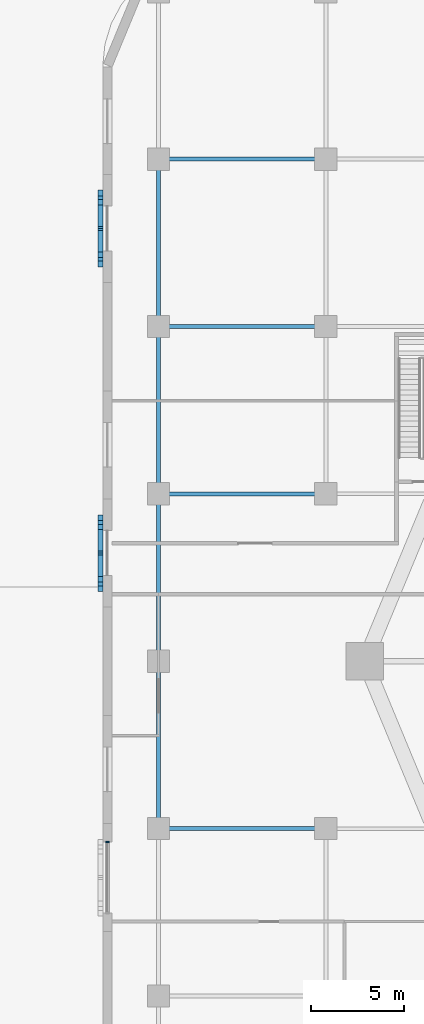
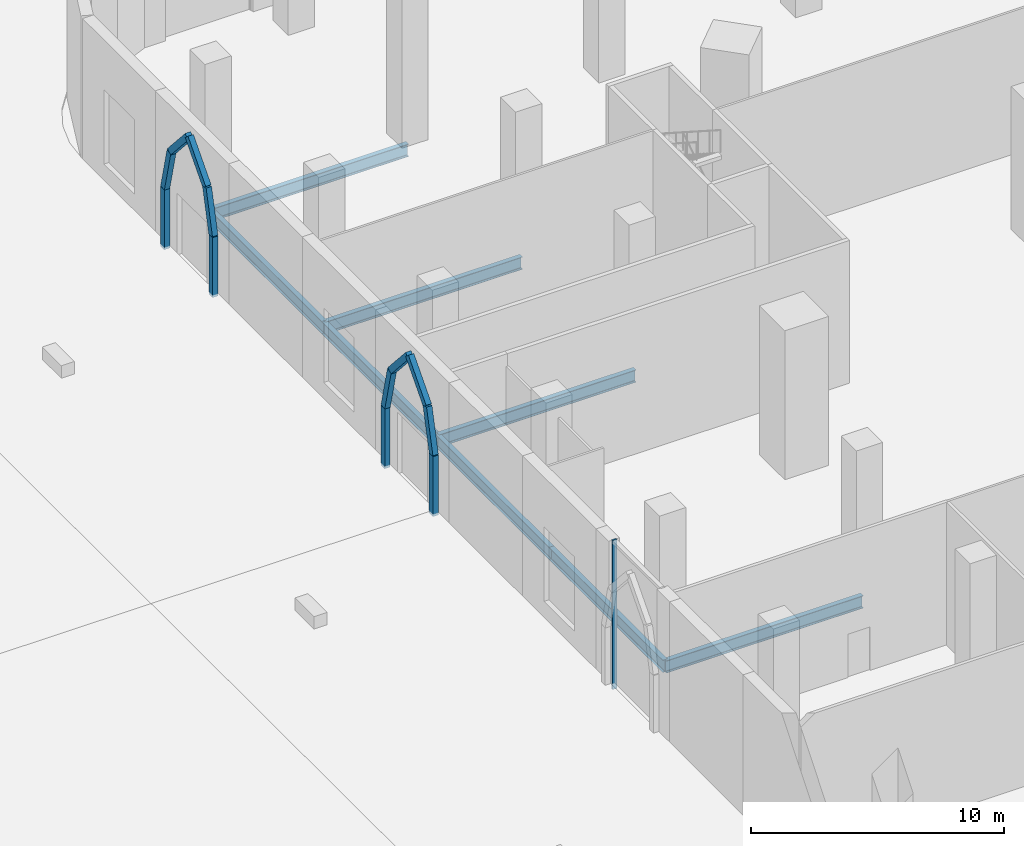
# One storey, part 6 of 48: 13 members, 8 beams, 1 element without a shape of its own.
"""IFC4 building model written with IfcOpenShell, lengths in metres."""

from ifc_helpers import new_model, si_unit, direction, frame, origin, origin_2d, place, context, subcontext, project, spatial, rectangle, i_section, extrude, material, material_profile, profile_set, type_object, element, aggregate, save


model = new_model("IFC4")

# Units and contexts
model_context = context("Model", 3, precision=1e-05, world=origin(), true_north=direction((0.0, 1.0)))
body_context = subcontext(model_context, "Body", "Model", "MODEL_VIEW")
ifc_project = project(units=[si_unit("LENGTHUNIT", "METRE"), si_unit("AREAUNIT", "SQUARE_METRE"), si_unit("VOLUMEUNIT", "CUBIC_METRE"), si_unit("PLANEANGLEUNIT", "RADIAN"), si_unit("MASSUNIT", "GRAM", prefix="KILO")], contexts=[model_context])

# Site, building, storey
site_placement = place(None, origin())
site = spatial("IfcSite", under=ifc_project, at=site_placement, CompositionType="ELEMENT")
building_placement = place(site_placement, origin())
building = spatial("IfcBuilding", under=site, at=building_placement, Name="Ogive Gate Towers", CompositionType="ELEMENT")
storey_placement = place(building_placement, origin())
storey = spatial("IfcBuildingStorey", under=building, at=storey_placement, Name="L00", CompositionType="ELEMENT", Elevation=0.0)

# Members
ifc_material_1 = material(Name="Precast concrete C40/50", Category="concrete")
ifc_material_profile_1 = material_profile(ifc_material_1, rectangle(XDim=0.25, YDim=0.300048828125, at=origin_2d()), Name="250 x 300 cast stone")
ifc_profile_set_1 = profile_set([ifc_material_profile_1], Name="Precast concrete C40/50")
member_type_1 = type_object("IfcMemberType", Name="Arch rib 250 x 300", PredefinedType="USERDEFINED", material=ifc_profile_set_1)
member_1_placement = place(storey_placement, frame((-75.125, 25.181884765625, 0.0), z_axis=(0.0, 0.0, 1.0), x_axis=(1.0, 0.0, 0.0)))
element("IfcMember", 1, at=member_1_placement, inside=storey, type_object=member_type_1, Name="Arcade arch rib", ObjectType="ARCH RIB", PredefinedType="USERDEFINED", context=body_context, shape_type="SweptSolid", body=[
    extrude(rectangle(XDim=0.25, YDim=0.300048828125, at=origin_2d()), origin(), (0.0, 0.0, 1.0), 2.89990234375),
])
member_2_placement = place(storey_placement, frame((-75.125, 25.181884765625, 2.89990234375), z_axis=(0.0, -0.239949903383, 0.97078527176), x_axis=(1.0, 0.0, 0.0)))
element("IfcMember", 2, at=member_2_placement, inside=storey, type_object=member_type_1, Name="Arcade arch rib", ObjectType="ARCH RIB", PredefinedType="USERDEFINED", context=body_context, shape_type="SweptSolid", body=[
    extrude(rectangle(XDim=0.25, YDim=0.300048828125, at=origin_2d()), origin(), (0.0, 0.0, 1.0), 2.111328125),
])
member_3_placement = place(storey_placement, frame((-75.125, 24.67529296875, 4.949462890625), z_axis=(0.0, -0.664428442697, 0.747351888026), x_axis=(1.0, 0.0, 0.0)))
element("IfcMember", 3, at=member_3_placement, inside=storey, type_object=member_type_1, Name="Arcade arch rib", ObjectType="ARCH RIB", PredefinedType="USERDEFINED", context=body_context, shape_type="SweptSolid", body=[
    extrude(rectangle(XDim=0.25, YDim=0.300048828125, at=origin_2d()), origin(), (0.0, 0.0, 1.0), 2.111083984375),
])
member_4_placement = place(storey_placement, frame((-75.125, 21.363525390625, 0.0), z_axis=(0.0, 0.0, 1.0), x_axis=(1.0, 0.0, 0.0)))
element("IfcMember", 4, at=member_4_placement, inside=storey, type_object=member_type_1, Name="Arcade arch rib", ObjectType="ARCH RIB", PredefinedType="USERDEFINED", context=body_context, shape_type="SweptSolid", body=[
    extrude(rectangle(XDim=0.25, YDim=0.300048828125, at=origin_2d()), origin(), (0.0, 0.0, 1.0), 2.89990234375),
])
member_5_placement = place(storey_placement, frame((-75.125, 21.363525390625, 2.89990234375), z_axis=(0.0, 0.239949903383, 0.97078527176), x_axis=(-1.0, 0.0, 0.0)))
element("IfcMember", 5, at=member_5_placement, inside=storey, type_object=member_type_1, Name="Arcade arch rib", ObjectType="ARCH RIB", PredefinedType="USERDEFINED", context=body_context, shape_type="SweptSolid", body=[
    extrude(rectangle(XDim=0.25, YDim=0.300048828125, at=origin_2d()), origin(), (0.0, 0.0, 1.0), 2.111328125),
])
member_6_placement = place(storey_placement, frame((-75.125, 21.8701171875, 4.949462890625), z_axis=(0.0, 0.664428442697, 0.747351888026), x_axis=(-1.0, 0.0, 0.0)))
element("IfcMember", 6, at=member_6_placement, inside=storey, type_object=member_type_1, Name="Arcade arch rib", ObjectType="ARCH RIB", PredefinedType="USERDEFINED", context=body_context, shape_type="SweptSolid", body=[
    extrude(rectangle(XDim=0.25, YDim=0.300048828125, at=origin_2d()), origin(), (0.0, 0.0, 1.0), 2.111083984375),
])
member_7_placement = place(storey_placement, frame((-75.125, 7.727294921875, 0.0), z_axis=(0.0, 0.0, 1.0), x_axis=(1.0, 0.0, 0.0)))
element("IfcMember", 7, at=member_7_placement, inside=storey, type_object=member_type_1, Name="Arcade arch rib", ObjectType="ARCH RIB", PredefinedType="USERDEFINED", context=body_context, shape_type="SweptSolid", body=[
    extrude(rectangle(XDim=0.25, YDim=0.300048828125, at=origin_2d()), origin(), (0.0, 0.0, 1.0), 2.89990234375),
])
for number, where, z_axis, x_axis, name in (
    (8, (-75.125, 7.727294921875, 2.89990234375), (0.0, -0.239840918338, 0.970812203205), (1.0, 0.0, 0.0), "Arcade arch rib"),
    (9, (-75.125, 7.220947265625, 4.949462890625), (0.0, -0.664493031672, 0.74729446061), (1.0, 0.0, 0.0), "Arcade arch rib"),
):
    element("IfcMember", number, at=place(storey_placement, frame(where, z_axis=z_axis, x_axis=x_axis)), inside=storey, type_object=member_type_1, Name=name, ObjectType="ARCH RIB", PredefinedType="USERDEFINED", context=body_context, shape_type="SweptSolid", body=[
        extrude(rectangle(XDim=0.25, YDim=0.300048828125, at=origin_2d()), origin(), (0.0, 0.0, 1.0), 2.111083984375),
    ])
member_8_placement = place(storey_placement, frame((-75.125, 3.9091796875, 0.0), z_axis=(0.0, 0.0, 1.0), x_axis=(1.0, 0.0, 0.0)))
element("IfcMember", 10, at=member_8_placement, inside=storey, type_object=member_type_1, Name="Arcade arch rib", ObjectType="ARCH RIB", PredefinedType="USERDEFINED", context=body_context, shape_type="SweptSolid", body=[
    extrude(rectangle(XDim=0.25, YDim=0.300048828125, at=origin_2d()), origin(), (0.0, 0.0, 1.0), 2.89990234375),
])
for number, where, z_axis, x_axis, name in (
    (11, (-75.125, 3.9091796875, 2.89990234375), (0.0, 0.239840918338, 0.970812203205), (-1.0, 0.0, 0.0), "Arcade arch rib"),
    (12, (-75.125, 4.41552734375, 4.949462890625), (0.0, 0.664428442697, 0.747351888026), (-1.0, 0.0, 0.0), "Arcade arch rib"),
):
    element("IfcMember", number, at=place(storey_placement, frame(where, z_axis=z_axis, x_axis=x_axis)), inside=storey, type_object=member_type_1, Name=name, ObjectType="ARCH RIB", PredefinedType="USERDEFINED", context=body_context, shape_type="SweptSolid", body=[
        extrude(rectangle(XDim=0.25, YDim=0.300048828125, at=origin_2d()), origin(), (0.0, 0.0, 1.0), 2.111083984375),
    ])

# Beams
ifc_material_2 = material(Name="Steel SM355", Category="steel")
ifc_material_profile_2 = material_profile(ifc_material_2, i_section(OverallWidth=0.219970703125, OverallDepth=0.60009765625, WebThickness=0.011962890625, FlangeThickness=0.01904296875, FilletRadius=0.02392578125, at=origin_2d()), Name="IPE 600")
ifc_profile_set_2 = profile_set([ifc_material_profile_2], Name="Steel SM355")
beam_type = type_object("IfcBeamType", Name="Floor beam IPE 600", PredefinedType="BEAM", material=ifc_profile_set_2)
for number, where, z_axis, x_axis, name in (
    (13, (-72.0, -9.0, -0.60009765625), (0.0, 1.0, 0.0), (-1.0, 0.0, 0.0), "PD/L00/SBM004"),
    (14, (-72.0, 0.0, -0.60009765625), (0.0, 1.0, 0.0), (-1.0, 0.0, 0.0), "PD/L00/SBM005"),
    (15, (-72.0, 9.0, -0.60009765625), (0.0, 1.0, 0.0), (-1.0, 0.0, 0.0), "PD/L00/SBM006"),
    (16, (-72.0, 18.0, -0.60009765625), (0.0, 1.0, 0.0), (-1.0, 0.0, 0.0), "PD/L00/SBM007"),
    (17, (-72.0, -9.0, -0.60009765625), (1.0, 0.0, 0.0), (0.0, 1.0, 0.0), "PD/L00/SBM109"),
    (18, (-72.0, 9.0, -0.60009765625), (1.0, 0.0, 0.0), (0.0, 1.0, 0.0), "PD/L00/SBM113"),
    (19, (-72.0, 18.0, -0.60009765625), (1.0, 0.0, 0.0), (0.0, 1.0, 0.0), "PD/L00/SBM117"),
    (20, (-72.0, 27.0, -0.60009765625), (1.0, 0.0, 0.0), (0.0, 1.0, 0.0), "PD/L00/SBM125"),
):
    element("IfcBeam", number, at=place(storey_placement, frame(where, z_axis=z_axis, x_axis=x_axis)), inside=storey, type_object=beam_type, Name=name, PredefinedType="BEAM", context=body_context, shape_type="SweptSolid", body=[
        extrude(i_section(OverallWidth=0.219970703125, OverallDepth=0.60009765625, WebThickness=0.011962890625, FlangeThickness=0.01904296875, FilletRadius=0.02392578125, at=origin_2d()), origin(), (0.0, 0.0, 1.0), 9.0),
    ])

# Curtain wall, member
ifc_material_3 = material(Name="Pale metal aluminium", Category="aluminium")
curtain_wall_type = type_object("IfcCurtainWallType", Name="Podium glazing", PredefinedType="NOTDEFINED", material=ifc_material_3)
curtain_wall_placement = place(storey_placement, origin())
curtain_wall = element("IfcCurtainWall", 21, at=curtain_wall_placement, inside=storey, type_object=curtain_wall_type, Name="CW6 PD ECW07", PredefinedType="NOTDEFINED")
ifc_material_profile_3 = material_profile(ifc_material_3, rectangle(XDim=0.199951171875, YDim=0.080078125, at=origin_2d()), Name="80 x 200 aluminium box")
ifc_profile_set_3 = profile_set([ifc_material_profile_3], Name="Pale metal aluminium")
member_type_2 = type_object("IfcMemberType", Name="Podium glazing mullion 80 x 200", PredefinedType="MULLION", material=ifc_profile_set_3)
member_9_placement = place(storey_placement, frame((-74.75, -9.727294921875, -0.300048828125), z_axis=(0.0, 0.0, 1.0), x_axis=(-1.0, 0.0, 0.0)))
member_9 = element("IfcMember", 22, at=member_9_placement, type_object=member_type_2, Name="CW6 mullion", PredefinedType="MULLION", context=body_context, shape_type="SweptSolid", body=[
    extrude(rectangle(XDim=0.199951171875, YDim=0.080078125, at=origin_2d()), origin(), (0.0, 0.0, 1.0), 7.199951171875),
])
aggregate(curtain_wall, [member_9])

save(model, "model.ifc")
